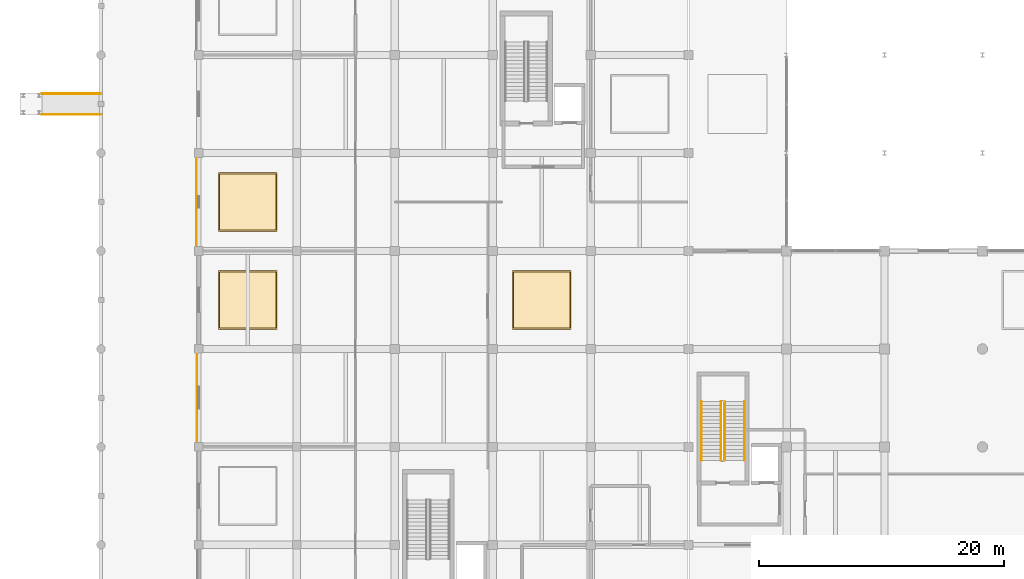
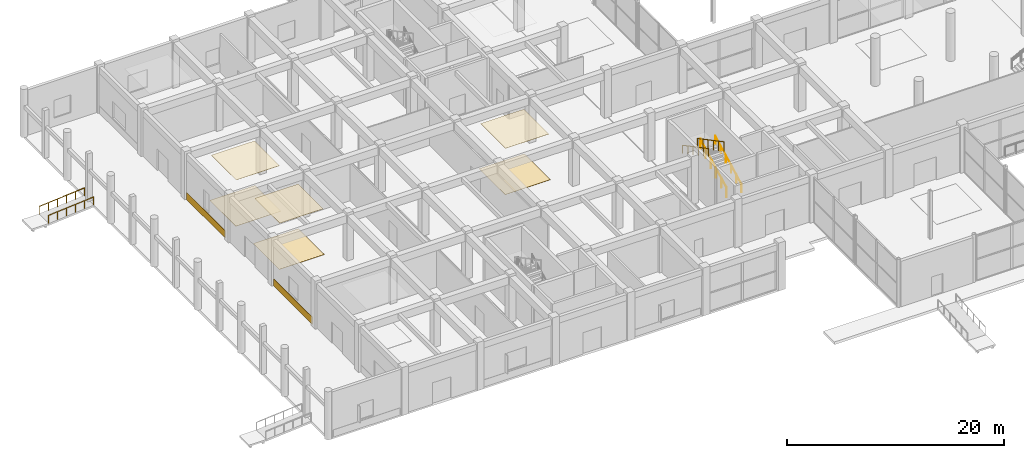
# One storey, part 68 of 86: 8 coverings, 6 railings.
"""IFC4 building model written with IfcOpenShell, lengths in metres."""

from ifc_helpers import new_model, si_unit, direction, frame, origin, origin_2d, place, context, subcontext, project, spatial, rectangle, circle, extrude, material, layer, layer_set, type_object, element, save


model = new_model("IFC4")

# Units and contexts
model_context = context("Model", 3, precision=1e-05, world=origin(), true_north=direction((0.0, 1.0)))
body_context = subcontext(model_context, "Body", "Model", "MODEL_VIEW")
ifc_project = project(units=[si_unit("LENGTHUNIT", "METRE"), si_unit("AREAUNIT", "SQUARE_METRE"), si_unit("VOLUMEUNIT", "CUBIC_METRE"), si_unit("PLANEANGLEUNIT", "RADIAN"), si_unit("MASSUNIT", "GRAM", prefix="KILO")], contexts=[model_context])

# Site, building, storey
site_placement = place(None, origin())
site = spatial("IfcSite", under=ifc_project, at=site_placement, CompositionType="ELEMENT")
building_placement = place(site_placement, origin())
building = spatial("IfcBuilding", under=site, at=building_placement, Name="Kenh Van Central Station", CompositionType="ELEMENT")
storey_placement = place(building_placement, origin())
storey = spatial("IfcBuildingStorey", under=building, at=storey_placement, Name="L00", CompositionType="ELEMENT", Elevation=0.0)

# Coverings
ifc_material_1 = material(Name="Perforated acoustic mineral ceiling board")
ifc_layer_1 = layer(ifc_material_1, 0.02490234375, Name="Perforated acoustic mineral ceiling board")
ifc_layer_set_1 = layer_set([ifc_layer_1], Name="Perforated acoustic mineral ceiling board")
covering_type_1 = type_object("IfcCoveringType", Name="COV-CEIL-ACOUST", PredefinedType="CEILING", material=ifc_layer_set_1)
for number, where, z_axis, x_axis, name in (
    (1, (12.0, 36.0, 5.09716796875), (0.0, 0.0, 1.0), (1.0, 0.0, 0.0), "L00 acoustic ceiling panel 020"),
    (2, (12.0, 44.0, 5.09716796875), (0.0, 0.0, 1.0), (1.0, 0.0, 0.0), "L00 acoustic ceiling panel 021"),
    (3, (36.0, 36.0, 5.09716796875), (0.0, 0.0, 1.0), (1.0, 0.0, 0.0), "L00 acoustic ceiling panel 023"),
):
    element("IfcCovering", number, at=place(storey_placement, frame(where, z_axis=z_axis, x_axis=x_axis)), inside=storey, type_object=covering_type_1, Name=name, PredefinedType="CEILING", context=body_context, shape_type="SweptSolid", body=[
        extrude(rectangle(XDim=4.60009765625, YDim=4.60009765625, at=origin_2d()), origin(), (0.0, 0.0, 1.0), 0.02490234375),
    ])
ifc_material_2 = material(Name="Saigon buff sandstone cladding", Category="masonry")
ifc_layer_2 = layer(ifc_material_2, 0.0400390625, Name="Saigon buff sandstone cladding")
ifc_layer_set_2 = layer_set([ifc_layer_2], Name="Saigon buff sandstone cladding")
covering_type_2 = type_object("IfcCoveringType", Name="COV-CLAD-BUFF", PredefinedType="CLADDING", material=ifc_layer_set_2)
covering_1_placement = place(storey_placement, frame((7.840087890625, 28.0, 0.02001953125), z_axis=(0.0, 0.0, 1.0), x_axis=(0.0, -1.0, 0.0)))
element("IfcCovering", 4, at=covering_1_placement, inside=storey, type_object=covering_type_2, Name="L00 facade cladding 007", PredefinedType="CLADDING", context=body_context, shape_type="SweptSolid", body=[
    extrude(rectangle(XDim=7.10009765625, YDim=0.0400390625, at=origin_2d()), origin(), (0.0, 0.0, 1.0), 0.800048828125),
])
ifc_material_3 = material(Name="Glazed terracotta rainscreen cladding", Category="masonry")
ifc_layer_3 = layer(ifc_material_3, 0.034912109375, Name="Glazed terracotta rainscreen cladding")
ifc_layer_set_3 = layer_set([ifc_layer_3], Name="Glazed terracotta rainscreen cladding")
covering_type_3 = type_object("IfcCoveringType", Name="COV-CLAD-TERRA", PredefinedType="CLADDING", material=ifc_layer_set_3)
covering_2_placement = place(storey_placement, frame((7.822509765625, 44.0, 0.02001953125), z_axis=(0.0, 0.0, 1.0), x_axis=(0.0, -1.0, 0.0)))
element("IfcCovering", 5, at=covering_2_placement, inside=storey, type_object=covering_type_3, Name="L00 facade cladding 006", PredefinedType="CLADDING", context=body_context, shape_type="SweptSolid", body=[
    extrude(rectangle(XDim=7.10009765625, YDim=0.034912109375, at=origin_2d()), origin(), (0.0, 0.0, 1.0), 0.800048828125),
])
ifc_material_4 = material(Name="Polished station granite terrazzo", Category="masonry")
ifc_layer_4 = layer(ifc_material_4, 0.02001953125, Name="Polished station granite terrazzo")
ifc_layer_set_4 = layer_set([ifc_layer_4], Name="Polished station granite terrazzo")
covering_type_4 = type_object("IfcCoveringType", Name="COV-FLR-GRANITE", PredefinedType="FLOORING", material=ifc_layer_set_4)
for number, where, z_axis, x_axis, name in (
    (6, (12.0, 36.0, 0.0), (0.0, 0.0, 1.0), (1.0, 0.0, 0.0), "L00 granite floor finish 028"),
    (7, (12.0, 44.0, 0.0), (0.0, 0.0, 1.0), (1.0, 0.0, 0.0), "L00 granite floor finish 029"),
    (8, (36.0, 36.0, 0.0), (0.0, 0.0, 1.0), (1.0, 0.0, 0.0), "L00 granite floor finish 031"),
):
    element("IfcCovering", number, at=place(storey_placement, frame(where, z_axis=z_axis, x_axis=x_axis)), inside=storey, type_object=covering_type_4, Name=name, PredefinedType="FLOORING", context=body_context, shape_type="SweptSolid", body=[
        extrude(rectangle(XDim=4.800048828125, YDim=4.800048828125, at=origin_2d()), origin(), (0.0, 0.0, 1.0), 0.02001953125),
    ])

# Railings
ifc_material_5 = material(Name="Champagne anodised aluminium", Category="aluminium")
railing_type_1 = type_object("IfcRailingType", Name="RAIL-CORE-GRD110", PredefinedType="GUARDRAIL", material=ifc_material_5)
railing_1_placement = place(storey_placement, frame((50.949951171875, 22.89990234375, 0.158935546875)))
element("IfcRailing", 9, at=railing_1_placement, inside=storey, type_object=railing_type_1, Name="L00 ST-03 stair guard 1", PredefinedType="GUARDRAIL", context=body_context, shape_type="SweptSolid", body=[
    extrude(circle(Radius=0.02392578125, at=origin_2d()), frame((0.0, 0.0, 1.076171875), z_axis=(0.0, 0.883802130504, 0.467860870469), x_axis=(-1.0, 0.0, 0.0)), (0.0, 0.0, 1.0), 5.43115234375),
    extrude(circle(Radius=0.02099609375, at=origin_2d()), origin(), (0.0, 0.0, 1.0), 1.052001953125),
    extrude(circle(Radius=0.02099609375, at=origin_2d()), frame((0.0, 0.9599609375, 0.50830078125)), (0.0, 0.0, 1.0), 1.052001953125),
    extrude(circle(Radius=0.02099609375, at=origin_2d()), frame((0.0, 1.919921875, 1.016357421875)), (0.0, 0.0, 1.0), 1.052001953125),
    extrude(circle(Radius=0.02099609375, at=origin_2d()), frame((0.0, 2.880126953125, 1.524658203125)), (0.0, 0.0, 1.0), 1.052001953125),
    extrude(circle(Radius=0.02099609375, at=origin_2d()), frame((0.0, 3.840087890625, 2.03271484375)), (0.0, 0.0, 1.0), 1.052001953125),
    extrude(circle(Radius=0.02099609375, at=origin_2d()), frame((0.0, 4.800048828125, 2.541015625)), (0.0, 0.0, 1.0), 1.052001953125),
])
railing_2_placement = place(storey_placement, frame((50.64990234375, 27.699951171875, 2.85888671875)))
element("IfcRailing", 10, at=railing_2_placement, inside=storey, type_object=railing_type_1, Name="L00 ST-03 stair guard 3", PredefinedType="GUARDRAIL", context=body_context, shape_type="SweptSolid", body=[
    extrude(circle(Radius=0.02392578125, at=origin_2d()), frame((0.0, 0.0, 1.076171875), z_axis=(0.0, -0.883802130504, 0.467860870469), x_axis=(1.0, 0.0, 0.0)), (0.0, 0.0, 1.0), 5.43115234375),
    extrude(circle(Radius=0.02099609375, at=origin_2d()), origin(), (0.0, 0.0, 1.0), 1.052001953125),
    extrude(circle(Radius=0.02099609375, at=origin_2d()), frame((0.0, -0.9599609375, 0.50830078125)), (0.0, 0.0, 1.0), 1.052001953125),
    extrude(circle(Radius=0.02099609375, at=origin_2d()), frame((0.0, -1.919921875, 1.016357421875)), (0.0, 0.0, 1.0), 1.052001953125),
    extrude(circle(Radius=0.02099609375, at=origin_2d()), frame((0.0, -2.880126953125, 1.524658203125)), (0.0, 0.0, 1.0), 1.052001953125),
    extrude(circle(Radius=0.02099609375, at=origin_2d()), frame((0.0, -3.840087890625, 2.03271484375)), (0.0, 0.0, 1.0), 1.052001953125),
    extrude(circle(Radius=0.02099609375, at=origin_2d()), frame((0.0, -4.800048828125, 2.541015625)), (0.0, 0.0, 1.0), 1.052001953125),
])
railing_type_2 = type_object("IfcRailingType", Name="RAIL-CORE-HND90", PredefinedType="HANDRAIL", material=ifc_material_5)
railing_3_placement = place(storey_placement, frame((52.550048828125, 22.89990234375, 0.158935546875)))
element("IfcRailing", 11, at=railing_3_placement, inside=storey, type_object=railing_type_2, Name="L00 ST-03 stair handrail 1", PredefinedType="HANDRAIL", context=body_context, shape_type="SweptSolid", body=[
    extrude(circle(Radius=0.02392578125, at=origin_2d()), frame((0.0, 0.0, 0.8759765625), z_axis=(0.0, 0.883802130504, 0.467860870469), x_axis=(-1.0, 0.0, 0.0)), (0.0, 0.0, 1.0), 5.43115234375),
    extrude(circle(Radius=0.02099609375, at=origin_2d()), origin(), (0.0, 0.0, 1.0), 0.851806640625),
    extrude(circle(Radius=0.02099609375, at=origin_2d()), frame((0.0, 0.9599609375, 0.50830078125)), (0.0, 0.0, 1.0), 0.851806640625),
    extrude(circle(Radius=0.02099609375, at=origin_2d()), frame((0.0, 1.919921875, 1.016357421875)), (0.0, 0.0, 1.0), 0.851806640625),
    extrude(circle(Radius=0.02099609375, at=origin_2d()), frame((0.0, 2.880126953125, 1.524658203125)), (0.0, 0.0, 1.0), 0.851806640625),
    extrude(circle(Radius=0.02099609375, at=origin_2d()), frame((0.0, 3.840087890625, 2.03271484375)), (0.0, 0.0, 1.0), 0.851806640625),
    extrude(circle(Radius=0.02099609375, at=origin_2d()), frame((0.0, 4.800048828125, 2.541015625)), (0.0, 0.0, 1.0), 0.851806640625),
])
railing_4_placement = place(storey_placement, frame((49.050048828125, 27.699951171875, 2.85888671875)))
element("IfcRailing", 12, at=railing_4_placement, inside=storey, type_object=railing_type_2, Name="L00 ST-03 stair handrail 2", PredefinedType="HANDRAIL", context=body_context, shape_type="SweptSolid", body=[
    extrude(circle(Radius=0.02392578125, at=origin_2d()), frame((0.0, 0.0, 0.8759765625), z_axis=(0.0, -0.883802130504, 0.467860870469), x_axis=(1.0, 0.0, 0.0)), (0.0, 0.0, 1.0), 5.43115234375),
    extrude(circle(Radius=0.02099609375, at=origin_2d()), origin(), (0.0, 0.0, 1.0), 0.851806640625),
    extrude(circle(Radius=0.02099609375, at=origin_2d()), frame((0.0, -0.9599609375, 0.50830078125)), (0.0, 0.0, 1.0), 0.851806640625),
    extrude(circle(Radius=0.02099609375, at=origin_2d()), frame((0.0, -1.919921875, 1.016357421875)), (0.0, 0.0, 1.0), 0.851806640625),
    extrude(circle(Radius=0.02099609375, at=origin_2d()), frame((0.0, -2.880126953125, 1.524658203125)), (0.0, 0.0, 1.0), 0.851806640625),
    extrude(circle(Radius=0.02099609375, at=origin_2d()), frame((0.0, -3.840087890625, 2.03271484375)), (0.0, 0.0, 1.0), 0.851806640625),
    extrude(circle(Radius=0.02099609375, at=origin_2d()), frame((0.0, -4.800048828125, 2.541015625)), (0.0, 0.0, 1.0), 0.851806640625),
])
for number, where, name in (
    (13, (-4.800048828125, 51.159912109375, -0.39990234375), "West Street Arcade North Accessible Ramp handrail 1"),
    (14, (-4.800048828125, 52.840087890625, -0.39990234375), "West Street Arcade North Accessible Ramp handrail 2"),
):
    element("IfcRailing", number, at=place(storey_placement, frame(where)), inside=storey, type_object=railing_type_2, Name=name, PredefinedType="HANDRAIL", context=body_context, shape_type="SweptSolid", body=[
        extrude(circle(Radius=0.02392578125, at=origin_2d()), frame((0.0, 0.0, 0.8759765625), z_axis=(0.996547505835, 0.0, 0.083024506106), x_axis=(0.0, 1.0, 0.0)), (0.0, 0.0, 1.0), 4.816650390625),
        extrude(circle(Radius=0.02099609375, at=origin_2d()), origin(), (0.0, 0.0, 1.0), 0.851806640625),
        extrude(circle(Radius=0.02099609375, at=origin_2d()), frame((0.9599609375, 0.0, 0.080078125)), (0.0, 0.0, 1.0), 0.851806640625),
        extrude(circle(Radius=0.02099609375, at=origin_2d()), frame((1.919921875, 0.0, 0.159912109375)), (0.0, 0.0, 1.0), 0.851806640625),
        extrude(circle(Radius=0.02099609375, at=origin_2d()), frame((2.880126953125, 0.0, 0.239990234375)), (0.0, 0.0, 1.0), 0.851806640625),
        extrude(circle(Radius=0.02099609375, at=origin_2d()), frame((3.840087890625, 0.0, 0.31982421875)), (0.0, 0.0, 1.0), 0.851806640625),
        extrude(circle(Radius=0.02099609375, at=origin_2d()), frame((4.800048828125, 0.0, 0.39990234375)), (0.0, 0.0, 1.0), 0.851806640625),
    ])

save(model, "model.ifc")
